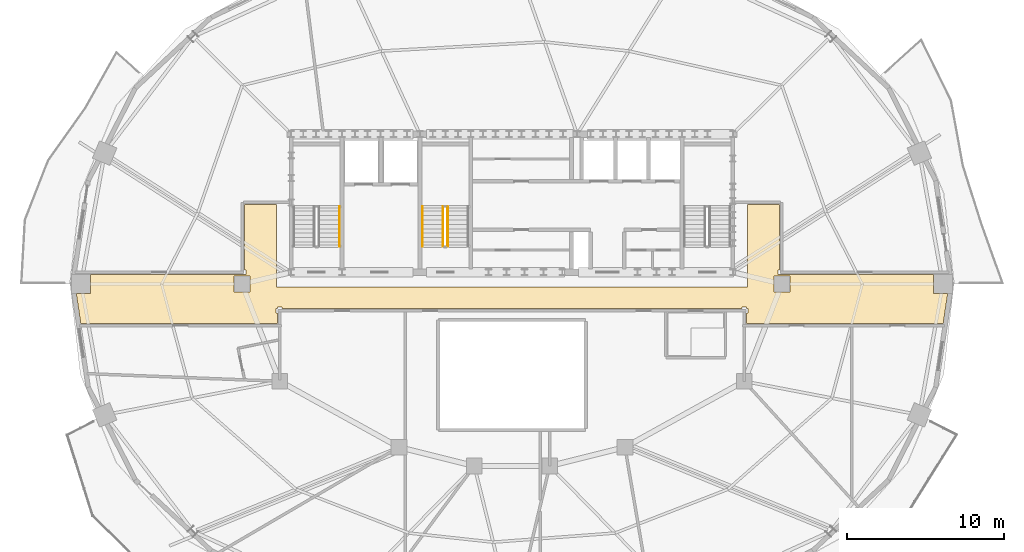
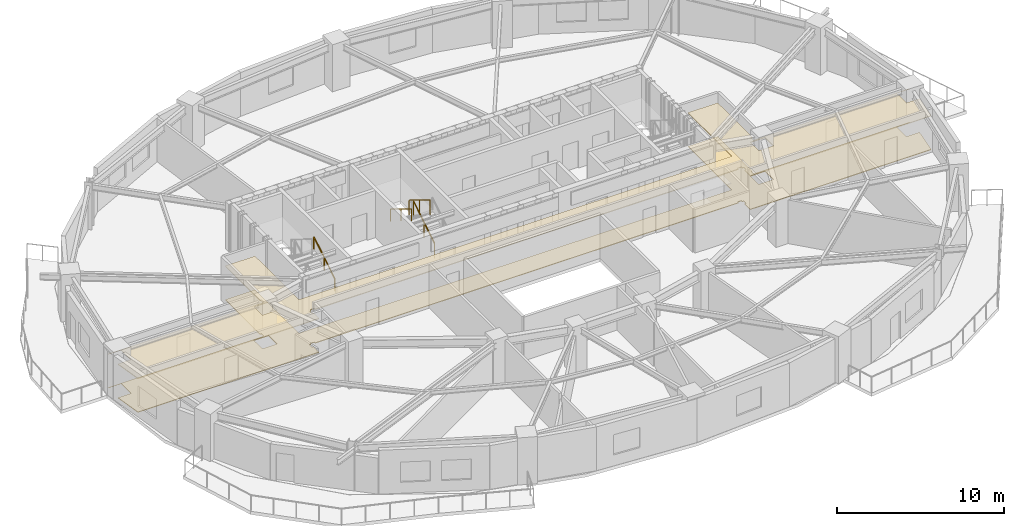
# One storey, part 9 of 11: 4 railings, 2 coverings.
"""IFC4 building model written with IfcOpenShell, lengths in metres."""

from ifc_helpers import new_model, si_unit, direction, frame, origin, origin_2d, place, context, subcontext, project, spatial, polyline, rectangle, outline, extrude, material, layer, layer_set, type_object, element, save


model = new_model("IFC4")

# Units and contexts
model_context = context("Model", 3, precision=1e-05, world=origin(), true_north=direction((0.0, 1.0)))
body_context = subcontext(model_context, "Body", "Model", "MODEL_VIEW")
ifc_project = project(units=[si_unit("LENGTHUNIT", "METRE"), si_unit("AREAUNIT", "SQUARE_METRE"), si_unit("VOLUMEUNIT", "CUBIC_METRE"), si_unit("PLANEANGLEUNIT", "RADIAN"), si_unit("MASSUNIT", "GRAM", prefix="KILO")], contexts=[model_context])

# Site, building, storey
site_placement = place(None, origin())
site = spatial("IfcSite", under=ifc_project, at=site_placement, CompositionType="ELEMENT")
building_placement = place(site_placement, origin())
building = spatial("IfcBuilding", under=site, at=building_placement, Name="Haldorwick Loom Tower", CompositionType="ELEMENT")
storey_placement = place(building_placement, frame((0.0, 0.0, 211.75)))
storey = spatial("IfcBuildingStorey", under=building, at=storey_placement, Name="L57", CompositionType="ELEMENT", Elevation=211.75)

# Coverings
ifc_material_1 = material(Name="Mineral Fibre Acoustic Ceiling Tile")
ifc_layer_1 = layer(ifc_material_1, 0.054931640625, Name="Mineral Fibre Acoustic Ceiling Tile")
ifc_layer_set_1 = layer_set([ifc_layer_1], Name="Mineral Fibre Acoustic Ceiling Tile")
covering_type_1 = type_object("IfcCoveringType", Name="ARC-COV-CEIL2", PredefinedType="CEILING", material=ifc_layer_set_1)
covering_1_placement = place(storey_placement, frame((0.0, 0.0, 2.458984375)))
element("IfcCovering", 1, at=covering_1_placement, inside=storey, type_object=covering_type_1, Name="L57 Acoustic Suspended Ceiling 1", PredefinedType="CEILING", context=body_context, shape_type="SweptSolid", body=[
    extrude(outline(polyline([(8.522216796875, 23.489990234375), (21.06005859375, 23.489990234375), (21.06005859375, 24.159912109375), (20.97998046875, 24.159912109375), (20.97802734375, 24.16015625), (20.97607421875, 24.160400390625), (20.97412109375, 24.160888671875), (20.972412109375, 24.16162109375), (20.970703125, 24.162353515625), (20.968994140625, 24.163330078125), (20.96728515625, 24.16455078125), (20.9658203125, 24.166015625), (20.964599609375, 24.167236328125), (20.96337890625, 24.1689453125), (20.96240234375, 24.170654296875), (20.96142578125, 24.17236328125), (20.9609375, 24.17431640625), (20.96044921875, 24.176025390625), (20.960205078125, 24.177978515625), (20.9599609375, 24.179931640625), (20.9599609375, 24.419921875), (20.960205078125, 24.422119140625), (20.96044921875, 24.423828125), (20.9609375, 24.42578125), (20.96142578125, 24.427734375), (20.96240234375, 24.429443359375), (20.96337890625, 24.43115234375), (20.964599609375, 24.4326171875), (20.9658203125, 24.43408203125), (20.96728515625, 24.435546875), (20.968994140625, 24.4365234375), (20.970703125, 24.4375), (20.972412109375, 24.4384765625), (20.97412109375, 24.439208984375), (20.97607421875, 24.439697265625), (20.97802734375, 24.43994140625), (20.97998046875, 24.43994140625), (21.06005859375, 24.43994140625), (21.06005859375, 24.52001953125), (21.06005859375, 24.52197265625), (21.060302734375, 24.52392578125), (21.060791015625, 24.52587890625), (21.0615234375, 24.527587890625), (21.0625, 24.529296875), (21.0634765625, 24.531005859375), (21.064453125, 24.53271484375), (21.06591796875, 24.5341796875), (21.0673828125, 24.535400390625), (21.06884765625, 24.53662109375), (21.070556640625, 24.53759765625), (21.072265625, 24.53857421875), (21.07421875, 24.5390625), (21.076171875, 24.53955078125), (21.077880859375, 24.539794921875), (21.080078125, 24.5400390625), (21.320068359375, 24.5400390625), (21.322021484375, 24.539794921875), (21.323974609375, 24.53955078125), (21.32568359375, 24.5390625), (21.32763671875, 24.53857421875), (21.329345703125, 24.53759765625), (21.3310546875, 24.53662109375), (21.332763671875, 24.535400390625), (21.333984375, 24.5341796875), (21.33544921875, 24.53271484375), (21.336669921875, 24.531005859375), (21.337646484375, 24.529296875), (21.33837890625, 24.527587890625), (21.339111328125, 24.52587890625), (21.339599609375, 24.52392578125), (21.33984375, 24.52197265625), (21.340087890625, 24.52001953125), (21.340087890625, 24.43994140625), (50.659912109375, 24.43994140625), (50.659912109375, 24.52001953125), (50.66015625, 24.52197265625), (50.660400390625, 24.52392578125), (50.660888671875, 24.52587890625), (50.66162109375, 24.527587890625), (50.662353515625, 24.529296875), (50.663330078125, 24.531005859375), (50.66455078125, 24.53271484375), (50.666015625, 24.5341796875), (50.667236328125, 24.535400390625), (50.6689453125, 24.53662109375), (50.670654296875, 24.53759765625), (50.67236328125, 24.53857421875), (50.67431640625, 24.5390625), (50.676025390625, 24.53955078125), (50.677978515625, 24.539794921875), (50.679931640625, 24.5400390625), (50.919921875, 24.5400390625), (50.922119140625, 24.539794921875), (50.923828125, 24.53955078125), (50.92578125, 24.5390625), (50.927734375, 24.53857421875), (50.929443359375, 24.53759765625), (50.93115234375, 24.53662109375), (50.9326171875, 24.535400390625), (50.93408203125, 24.5341796875), (50.935546875, 24.53271484375), (50.9365234375, 24.531005859375), (50.9375, 24.529296875), (50.9384765625, 24.527587890625), (50.939208984375, 24.52587890625), (50.939697265625, 24.52392578125), (50.93994140625, 24.52197265625), (50.93994140625, 24.52001953125), (50.93994140625, 24.43994140625), (51.02001953125, 24.43994140625), (51.02197265625, 24.43994140625), (51.02392578125, 24.439697265625), (51.02587890625, 24.439208984375), (51.027587890625, 24.4384765625), (51.029296875, 24.4375), (51.031005859375, 24.4365234375), (51.03271484375, 24.435546875), (51.0341796875, 24.43408203125), (51.035400390625, 24.4326171875), (51.03662109375, 24.43115234375), (51.03759765625, 24.429443359375), (51.03857421875, 24.427734375), (51.0390625, 24.42578125), (51.03955078125, 24.423828125), (51.039794921875, 24.422119140625), (51.0400390625, 24.419921875), (51.0400390625, 24.179931640625), (51.039794921875, 24.177978515625), (51.03955078125, 24.176025390625), (51.0390625, 24.17431640625), (51.03857421875, 24.17236328125), (51.03759765625, 24.170654296875), (51.03662109375, 24.1689453125), (51.035400390625, 24.167236328125), (51.0341796875, 24.166015625), (51.03271484375, 24.16455078125), (51.031005859375, 24.163330078125), (51.029296875, 24.162353515625), (51.027587890625, 24.16162109375), (51.02587890625, 24.160888671875), (51.02392578125, 24.160400390625), (51.02197265625, 24.16015625), (51.02001953125, 24.159912109375), (50.93994140625, 24.159912109375), (50.93994140625, 23.489990234375), (63.477783203125, 23.489990234375), (63.76708984375, 25.39208984375), (62.8583984375, 25.39208984375), (62.8583984375, 26.60791015625), (63.76708984375, 26.60791015625), (63.766845703125, 26.610107421875), (52.97998046875, 26.610107421875), (52.97802734375, 26.610107421875), (52.97607421875, 26.6103515625), (52.97412109375, 26.61083984375), (52.972412109375, 26.611572265625), (52.970703125, 26.6123046875), (52.968994140625, 26.61328125), (52.96728515625, 26.614501953125), (52.9658203125, 26.615966796875), (52.964599609375, 26.6171875), (52.96337890625, 26.618896484375), (52.96240234375, 26.62060546875), (52.96142578125, 26.622314453125), (52.9609375, 26.624267578125), (52.96044921875, 26.626220703125), (52.960205078125, 26.6279296875), (52.9599609375, 26.6298828125), (52.9599609375, 26.8701171875), (52.960205078125, 26.8720703125), (52.96044921875, 26.873779296875), (52.9609375, 26.875732421875), (52.96142578125, 26.877685546875), (52.96240234375, 26.87939453125), (52.96337890625, 26.881103515625), (52.964599609375, 26.8828125), (52.9658203125, 26.884033203125), (52.96728515625, 26.885498046875), (52.968994140625, 26.88671875), (52.970703125, 26.8876953125), (52.972412109375, 26.888427734375), (52.97412109375, 26.88916015625), (52.97607421875, 26.8896484375), (52.97802734375, 26.889892578125), (52.97998046875, 26.889892578125), (53.06005859375, 26.889892578125), (53.06005859375, 31.06005859375), (51.0, 31.06005859375), (51.0, 25.800048828125), (21.0, 25.800048828125), (21.0, 31.06005859375), (18.93994140625, 31.06005859375), (18.93994140625, 26.889892578125), (19.02001953125, 26.889892578125), (19.02197265625, 26.889892578125), (19.02392578125, 26.8896484375), (19.02587890625, 26.88916015625), (19.027587890625, 26.888427734375), (19.029296875, 26.8876953125), (19.031005859375, 26.88671875), (19.03271484375, 26.885498046875), (19.0341796875, 26.884033203125), (19.035400390625, 26.8828125), (19.03662109375, 26.881103515625), (19.03759765625, 26.87939453125), (19.03857421875, 26.877685546875), (19.0390625, 26.875732421875), (19.03955078125, 26.873779296875), (19.039794921875, 26.8720703125), (19.0400390625, 26.8701171875), (19.0400390625, 26.6298828125), (19.039794921875, 26.6279296875), (19.03955078125, 26.626220703125), (19.0390625, 26.624267578125), (19.03857421875, 26.622314453125), (19.03759765625, 26.62060546875), (19.03662109375, 26.618896484375), (19.035400390625, 26.6171875), (19.0341796875, 26.615966796875), (19.03271484375, 26.614501953125), (19.031005859375, 26.61328125), (19.029296875, 26.6123046875), (19.027587890625, 26.611572265625), (19.02587890625, 26.61083984375), (19.02392578125, 26.6103515625), (19.02197265625, 26.610107421875), (19.02001953125, 26.610107421875), (8.233154296875, 26.610107421875), (8.23291015625, 26.60791015625), (9.1416015625, 26.60791015625), (9.1416015625, 25.39208984375), (8.23291015625, 25.39208984375), (8.522216796875, 23.489990234375)]), holes=[polyline([(19.30810546875, 26.508056640625), (19.30810546875, 25.491943359375), (18.2919921875, 25.491943359375), (18.2919921875, 26.508056640625), (19.30810546875, 26.508056640625)]), polyline([(53.7080078125, 25.491943359375), (52.69189453125, 25.491943359375), (52.69189453125, 26.508056640625), (53.7080078125, 26.508056640625), (53.7080078125, 25.491943359375)])]), origin(), (0.0, 0.0, 1.0), 0.054931640625),
])
ifc_material_2 = material(Name="Polished Aggregate Terrazzo Finish")
ifc_layer_2 = layer(ifc_material_2, 0.044921875, Name="Polished Aggregate Terrazzo Finish")
ifc_layer_set_2 = layer_set([ifc_layer_2], Name="Polished Aggregate Terrazzo Finish")
covering_type_2 = type_object("IfcCoveringType", Name="ARC-COV-FLOOR2", PredefinedType="FLOORING", material=ifc_layer_set_2)
covering_2_placement = place(storey_placement, origin())
element("IfcCovering", 2, at=covering_2_placement, inside=storey, type_object=covering_type_2, Name="L57 Floor Finish 1", PredefinedType="FLOORING", context=body_context, shape_type="SweptSolid", body=[
    extrude(outline(polyline([(8.522216796875, 23.489990234375), (21.06005859375, 23.489990234375), (21.06005859375, 24.159912109375), (20.97998046875, 24.159912109375), (20.97802734375, 24.16015625), (20.97607421875, 24.160400390625), (20.97412109375, 24.160888671875), (20.972412109375, 24.16162109375), (20.970703125, 24.162353515625), (20.968994140625, 24.163330078125), (20.96728515625, 24.16455078125), (20.9658203125, 24.166015625), (20.964599609375, 24.167236328125), (20.96337890625, 24.1689453125), (20.96240234375, 24.170654296875), (20.96142578125, 24.17236328125), (20.9609375, 24.17431640625), (20.96044921875, 24.176025390625), (20.960205078125, 24.177978515625), (20.9599609375, 24.179931640625), (20.9599609375, 24.419921875), (20.960205078125, 24.422119140625), (20.96044921875, 24.423828125), (20.9609375, 24.42578125), (20.96142578125, 24.427734375), (20.96240234375, 24.429443359375), (20.96337890625, 24.43115234375), (20.964599609375, 24.4326171875), (20.9658203125, 24.43408203125), (20.96728515625, 24.435546875), (20.968994140625, 24.4365234375), (20.970703125, 24.4375), (20.972412109375, 24.4384765625), (20.97412109375, 24.439208984375), (20.97607421875, 24.439697265625), (20.97802734375, 24.43994140625), (20.97998046875, 24.43994140625), (21.06005859375, 24.43994140625), (21.06005859375, 24.52001953125), (21.06005859375, 24.52197265625), (21.060302734375, 24.52392578125), (21.060791015625, 24.52587890625), (21.0615234375, 24.527587890625), (21.0625, 24.529296875), (21.0634765625, 24.531005859375), (21.064453125, 24.53271484375), (21.06591796875, 24.5341796875), (21.0673828125, 24.535400390625), (21.06884765625, 24.53662109375), (21.070556640625, 24.53759765625), (21.072265625, 24.53857421875), (21.07421875, 24.5390625), (21.076171875, 24.53955078125), (21.077880859375, 24.539794921875), (21.080078125, 24.5400390625), (21.320068359375, 24.5400390625), (21.322021484375, 24.539794921875), (21.323974609375, 24.53955078125), (21.32568359375, 24.5390625), (21.32763671875, 24.53857421875), (21.329345703125, 24.53759765625), (21.3310546875, 24.53662109375), (21.332763671875, 24.535400390625), (21.333984375, 24.5341796875), (21.33544921875, 24.53271484375), (21.336669921875, 24.531005859375), (21.337646484375, 24.529296875), (21.33837890625, 24.527587890625), (21.339111328125, 24.52587890625), (21.339599609375, 24.52392578125), (21.33984375, 24.52197265625), (21.340087890625, 24.52001953125), (21.340087890625, 24.43994140625), (50.659912109375, 24.43994140625), (50.659912109375, 24.52001953125), (50.66015625, 24.52197265625), (50.660400390625, 24.52392578125), (50.660888671875, 24.52587890625), (50.66162109375, 24.527587890625), (50.662353515625, 24.529296875), (50.663330078125, 24.531005859375), (50.66455078125, 24.53271484375), (50.666015625, 24.5341796875), (50.667236328125, 24.535400390625), (50.6689453125, 24.53662109375), (50.670654296875, 24.53759765625), (50.67236328125, 24.53857421875), (50.67431640625, 24.5390625), (50.676025390625, 24.53955078125), (50.677978515625, 24.539794921875), (50.679931640625, 24.5400390625), (50.919921875, 24.5400390625), (50.922119140625, 24.539794921875), (50.923828125, 24.53955078125), (50.92578125, 24.5390625), (50.927734375, 24.53857421875), (50.929443359375, 24.53759765625), (50.93115234375, 24.53662109375), (50.9326171875, 24.535400390625), (50.93408203125, 24.5341796875), (50.935546875, 24.53271484375), (50.9365234375, 24.531005859375), (50.9375, 24.529296875), (50.9384765625, 24.527587890625), (50.939208984375, 24.52587890625), (50.939697265625, 24.52392578125), (50.93994140625, 24.52197265625), (50.93994140625, 24.52001953125), (50.93994140625, 24.43994140625), (51.02001953125, 24.43994140625), (51.02197265625, 24.43994140625), (51.02392578125, 24.439697265625), (51.02587890625, 24.439208984375), (51.027587890625, 24.4384765625), (51.029296875, 24.4375), (51.031005859375, 24.4365234375), (51.03271484375, 24.435546875), (51.0341796875, 24.43408203125), (51.035400390625, 24.4326171875), (51.03662109375, 24.43115234375), (51.03759765625, 24.429443359375), (51.03857421875, 24.427734375), (51.0390625, 24.42578125), (51.03955078125, 24.423828125), (51.039794921875, 24.422119140625), (51.0400390625, 24.419921875), (51.0400390625, 24.179931640625), (51.039794921875, 24.177978515625), (51.03955078125, 24.176025390625), (51.0390625, 24.17431640625), (51.03857421875, 24.17236328125), (51.03759765625, 24.170654296875), (51.03662109375, 24.1689453125), (51.035400390625, 24.167236328125), (51.0341796875, 24.166015625), (51.03271484375, 24.16455078125), (51.031005859375, 24.163330078125), (51.029296875, 24.162353515625), (51.027587890625, 24.16162109375), (51.02587890625, 24.160888671875), (51.02392578125, 24.160400390625), (51.02197265625, 24.16015625), (51.02001953125, 24.159912109375), (50.93994140625, 24.159912109375), (50.93994140625, 23.489990234375), (63.477783203125, 23.489990234375), (63.76708984375, 25.39208984375), (62.8583984375, 25.39208984375), (62.8583984375, 26.60791015625), (63.76708984375, 26.60791015625), (63.766845703125, 26.610107421875), (52.97998046875, 26.610107421875), (52.97802734375, 26.610107421875), (52.97607421875, 26.6103515625), (52.97412109375, 26.61083984375), (52.972412109375, 26.611572265625), (52.970703125, 26.6123046875), (52.968994140625, 26.61328125), (52.96728515625, 26.614501953125), (52.9658203125, 26.615966796875), (52.964599609375, 26.6171875), (52.96337890625, 26.618896484375), (52.96240234375, 26.62060546875), (52.96142578125, 26.622314453125), (52.9609375, 26.624267578125), (52.96044921875, 26.626220703125), (52.960205078125, 26.6279296875), (52.9599609375, 26.6298828125), (52.9599609375, 26.8701171875), (52.960205078125, 26.8720703125), (52.96044921875, 26.873779296875), (52.9609375, 26.875732421875), (52.96142578125, 26.877685546875), (52.96240234375, 26.87939453125), (52.96337890625, 26.881103515625), (52.964599609375, 26.8828125), (52.9658203125, 26.884033203125), (52.96728515625, 26.885498046875), (52.968994140625, 26.88671875), (52.970703125, 26.8876953125), (52.972412109375, 26.888427734375), (52.97412109375, 26.88916015625), (52.97607421875, 26.8896484375), (52.97802734375, 26.889892578125), (52.97998046875, 26.889892578125), (53.06005859375, 26.889892578125), (53.06005859375, 31.06005859375), (51.0, 31.06005859375), (51.0, 25.800048828125), (21.0, 25.800048828125), (21.0, 31.06005859375), (18.93994140625, 31.06005859375), (18.93994140625, 26.889892578125), (19.02001953125, 26.889892578125), (19.02197265625, 26.889892578125), (19.02392578125, 26.8896484375), (19.02587890625, 26.88916015625), (19.027587890625, 26.888427734375), (19.029296875, 26.8876953125), (19.031005859375, 26.88671875), (19.03271484375, 26.885498046875), (19.0341796875, 26.884033203125), (19.035400390625, 26.8828125), (19.03662109375, 26.881103515625), (19.03759765625, 26.87939453125), (19.03857421875, 26.877685546875), (19.0390625, 26.875732421875), (19.03955078125, 26.873779296875), (19.039794921875, 26.8720703125), (19.0400390625, 26.8701171875), (19.0400390625, 26.6298828125), (19.039794921875, 26.6279296875), (19.03955078125, 26.626220703125), (19.0390625, 26.624267578125), (19.03857421875, 26.622314453125), (19.03759765625, 26.62060546875), (19.03662109375, 26.618896484375), (19.035400390625, 26.6171875), (19.0341796875, 26.615966796875), (19.03271484375, 26.614501953125), (19.031005859375, 26.61328125), (19.029296875, 26.6123046875), (19.027587890625, 26.611572265625), (19.02587890625, 26.61083984375), (19.02392578125, 26.6103515625), (19.02197265625, 26.610107421875), (19.02001953125, 26.610107421875), (8.233154296875, 26.610107421875), (8.23291015625, 26.60791015625), (9.1416015625, 26.60791015625), (9.1416015625, 25.39208984375), (8.23291015625, 25.39208984375), (8.522216796875, 23.489990234375)]), holes=[polyline([(19.30810546875, 26.508056640625), (19.30810546875, 25.491943359375), (18.2919921875, 25.491943359375), (18.2919921875, 26.508056640625), (19.30810546875, 26.508056640625)]), polyline([(53.7080078125, 25.491943359375), (52.69189453125, 25.491943359375), (52.69189453125, 26.508056640625), (53.7080078125, 26.508056640625), (53.7080078125, 25.491943359375)])]), origin(), (0.0, 0.0, 1.0), 0.044921875),
])

# Railings
ifc_material_3 = material(Name="Steel CSA G40.21 350W", Category="steel")
railing_type_1 = type_object("IfcRailingType", Name="ARC-RLG-GUARD112", PredefinedType="GUARDRAIL", material=ifc_material_3)
railing_1_placement = place(storey_placement, frame((31.89990234375, 28.39990234375, 0.172607421875)))
element("IfcRailing", 3, at=railing_1_placement, inside=storey, type_object=railing_type_1, Name="L57 ST-03 stair guard 1", PredefinedType="GUARDRAIL", context=body_context, shape_type="SweptSolid", body=[
    extrude(rectangle(XDim=0.048095703125, YDim=0.048095703125, at=origin_2d()), frame((0.0, 0.0, 1.076171875), z_axis=(0.0, 0.851400495292, 0.524516154772), x_axis=(-1.0, 0.0, 0.0)), (0.0, 0.0, 1.0), 2.9599609375),
    extrude(rectangle(XDim=0.0419921875, YDim=0.0419921875, at=origin_2d()), origin(), (0.0, 0.0, 1.0), 1.052001953125),
    extrude(rectangle(XDim=0.0419921875, YDim=0.0419921875, at=origin_2d()), frame((0.0, 1.260009765625, 0.7763671875)), (0.0, 0.0, 1.0), 1.052001953125),
    extrude(rectangle(XDim=0.0419921875, YDim=0.0419921875, at=origin_2d()), frame((0.0, 2.52001953125, 1.552490234375)), (0.0, 0.0, 1.0), 1.052001953125),
])
railing_2_placement = place(storey_placement, frame((31.60009765625, 30.919921875, 1.8974609375)))
element("IfcRailing", 4, at=railing_2_placement, inside=storey, type_object=railing_type_1, Name="L57 ST-03 stair guard 3", PredefinedType="GUARDRAIL", context=body_context, shape_type="SweptSolid", body=[
    extrude(rectangle(XDim=0.048095703125, YDim=0.048095703125, at=origin_2d()), frame((0.0, 0.0, 1.076171875), z_axis=(0.0, -0.851400495292, 0.524516154772), x_axis=(1.0, 0.0, 0.0)), (0.0, 0.0, 1.0), 2.9599609375),
    extrude(rectangle(XDim=0.0419921875, YDim=0.0419921875, at=origin_2d()), origin(), (0.0, 0.0, 1.0), 1.052001953125),
    extrude(rectangle(XDim=0.0419921875, YDim=0.0419921875, at=origin_2d()), frame((0.0, -1.260009765625, 0.7763671875)), (0.0, 0.0, 1.0), 1.052001953125),
    extrude(rectangle(XDim=0.0419921875, YDim=0.0419921875, at=origin_2d()), frame((0.0, -2.52001953125, 1.552490234375)), (0.0, 0.0, 1.0), 1.052001953125),
])
railing_type_2 = type_object("IfcRailingType", Name="ARC-RLG-HAND092", PredefinedType="HANDRAIL", material=ifc_material_3)
railing_3_placement = place(storey_placement, frame((25.0, 28.39990234375, 0.172607421875)))
element("IfcRailing", 5, at=railing_3_placement, inside=storey, type_object=railing_type_2, Name="L57 ST-01 stair handrail 1", PredefinedType="HANDRAIL", context=body_context, shape_type="SweptSolid", body=[
    extrude(rectangle(XDim=0.048095703125, YDim=0.048095703125, at=origin_2d()), frame((0.0, 0.0, 0.8759765625), z_axis=(0.0, 0.851400495292, 0.524516154772), x_axis=(-1.0, 0.0, 0.0)), (0.0, 0.0, 1.0), 2.9599609375),
    extrude(rectangle(XDim=0.0419921875, YDim=0.0419921875, at=origin_2d()), origin(), (0.0, 0.0, 1.0), 0.851806640625),
    extrude(rectangle(XDim=0.0419921875, YDim=0.0419921875, at=origin_2d()), frame((0.0, 1.260009765625, 0.7763671875)), (0.0, 0.0, 1.0), 0.851806640625),
    extrude(rectangle(XDim=0.0419921875, YDim=0.0419921875, at=origin_2d()), frame((0.0, 2.52001953125, 1.552490234375)), (0.0, 0.0, 1.0), 0.851806640625),
])
railing_4_placement = place(storey_placement, frame((30.300048828125, 30.919921875, 1.8974609375)))
element("IfcRailing", 6, at=railing_4_placement, inside=storey, type_object=railing_type_2, Name="L57 ST-03 stair handrail 2", PredefinedType="HANDRAIL", context=body_context, shape_type="SweptSolid", body=[
    extrude(rectangle(XDim=0.048095703125, YDim=0.048095703125, at=origin_2d()), frame((0.0, 0.0, 0.8759765625), z_axis=(0.0, -0.851400495292, 0.524516154772), x_axis=(1.0, 0.0, 0.0)), (0.0, 0.0, 1.0), 2.9599609375),
    extrude(rectangle(XDim=0.0419921875, YDim=0.0419921875, at=origin_2d()), origin(), (0.0, 0.0, 1.0), 0.851806640625),
    extrude(rectangle(XDim=0.0419921875, YDim=0.0419921875, at=origin_2d()), frame((0.0, -1.260009765625, 0.7763671875)), (0.0, 0.0, 1.0), 0.851806640625),
    extrude(rectangle(XDim=0.0419921875, YDim=0.0419921875, at=origin_2d()), frame((0.0, -2.52001953125, 1.552490234375)), (0.0, 0.0, 1.0), 0.851806640625),
])

save(model, "model.ifc")
